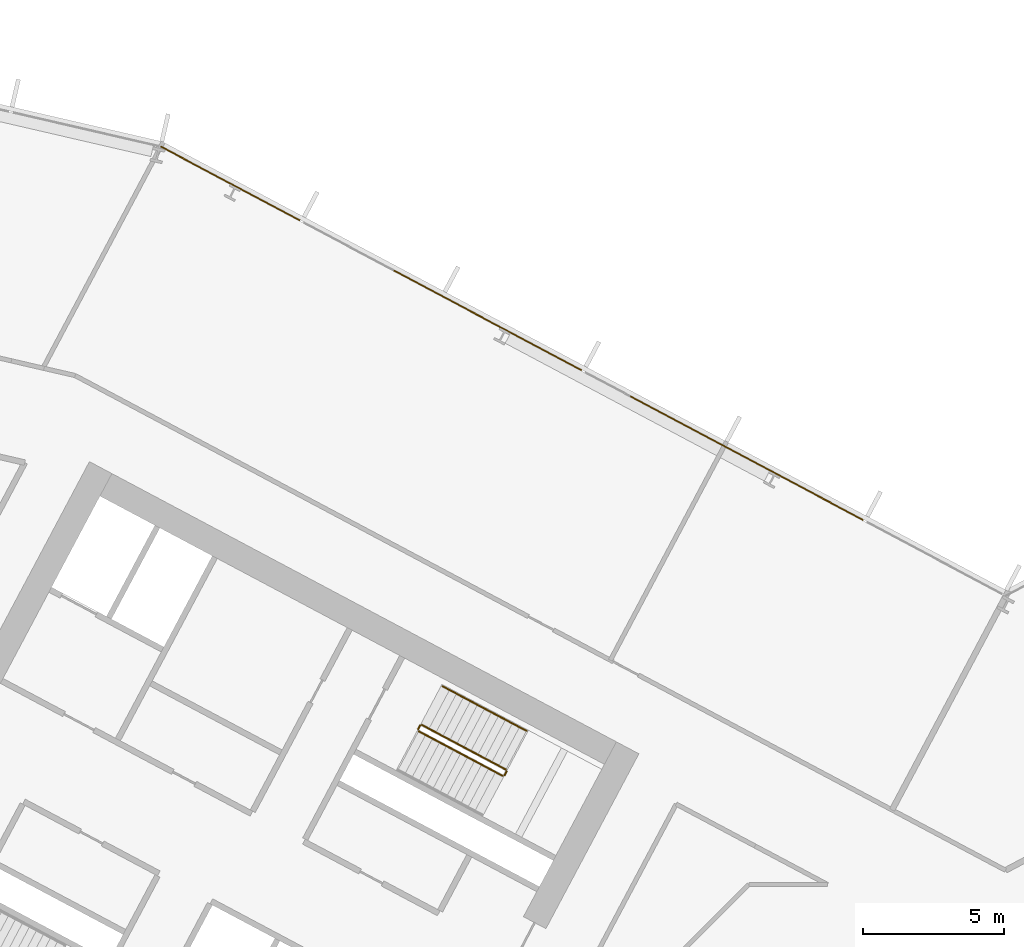
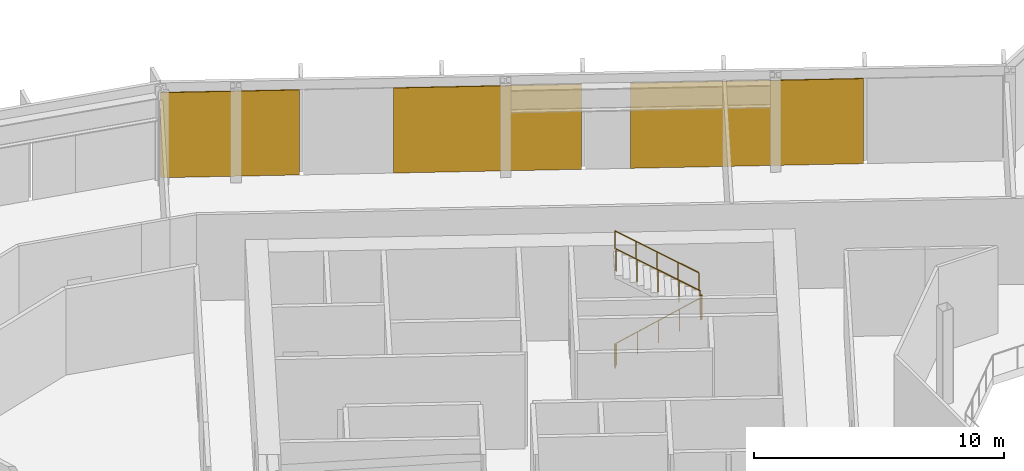
# One storey, part 24 of 30: 5 railings, 3 coverings, 1 element without a shape of its own.
"""IFC4 building model written with IfcOpenShell, lengths in metres."""

from ifc_helpers import new_model, si_unit, direction, frame, origin, origin_2d, place, context, subcontext, project, spatial, polyline, rectangle, outline, extrude, material, layer, layer_set, type_object, element, aggregate, save


model = new_model("IFC4")

# Units and contexts
model_context = context("Model", 3, precision=1e-05, world=origin(), true_north=direction((0.0, 1.0)))
body_context = subcontext(model_context, "Body", "Model", "MODEL_VIEW")
ifc_project = project(units=[si_unit("LENGTHUNIT", "METRE"), si_unit("AREAUNIT", "SQUARE_METRE"), si_unit("VOLUMEUNIT", "CUBIC_METRE"), si_unit("PLANEANGLEUNIT", "RADIAN"), si_unit("MASSUNIT", "GRAM", prefix="KILO")], contexts=[model_context])

# Site, building, storey
site_placement = place(None, origin())
site = spatial("IfcSite", under=ifc_project, at=site_placement, CompositionType="ELEMENT")
building_placement = place(site_placement, origin())
building = spatial("IfcBuilding", under=site, at=building_placement, Name="Cormorant Relay Tower", CompositionType="ELEMENT")
storey_placement = place(building_placement, frame((0.0, 0.0, 84.60009765625)))
storey = spatial("IfcBuildingStorey", under=building, at=storey_placement, Name="L16", CompositionType="ELEMENT", Elevation=84.60009765625)

# Curtain wall, coverings
ifc_material_1 = material(Name="Aluminium 6063-T6 anodised bronze", Category="aluminium")
ifc_layer_1 = layer(ifc_material_1, 0.199951171875)
ifc_layer_set_1 = layer_set([ifc_layer_1], Name="CW1 unitised bronze curtain wall with vertical fins")
curtain_wall_type = type_object("IfcCurtainWallType", Name="CW1 unitised bronze curtain wall with vertical fins", PredefinedType="NOTDEFINED", material=ifc_layer_set_1)
curtain_wall_placement = place(storey_placement, origin())
curtain_wall = element("IfcCurtainWall", 1, at=curtain_wall_placement, inside=storey, type_object=curtain_wall_type, Name="CW1 curtain wall 7", PredefinedType="NOTDEFINED")
ifc_material_2 = material(Name="Pale bronze anodised aluminium insulated panel", Category="aluminium")
ifc_layer_2 = layer(ifc_material_2, 0.0400390625)
ifc_layer_set_2 = layer_set([ifc_layer_2], Name="CW1 pale bronze insulated panel 40")
covering_type = type_object("IfcCoveringType", Name="CW1 pale bronze insulated panel 40", PredefinedType="CLADDING", material=ifc_layer_set_2)
covering_1_placement = place(storey_placement, frame((-9.15380859375, 28.673828125, 0.0), z_axis=(0.0, 0.0, 1.0), x_axis=(-0.882947592859, 0.469471562786, 0.0)))
covering_1 = element("IfcCovering", 2, at=covering_1_placement, type_object=covering_type, Name="CW1 panel S01", PredefinedType="CLADDING", context=body_context, shape_type="SweptSolid", body=[
    extrude(rectangle(XDim=9.327880859375, YDim=0.0400390625, at=origin_2d()), origin(), (0.0, 0.0, 1.0), 4.14990234375),
])
covering_2_placement = place(storey_placement, frame((-18.317138671875, 33.5458984375, 0.0), z_axis=(0.0, 0.0, 1.0), x_axis=(-0.882947592859, 0.469471562786, 0.0)))
covering_2 = element("IfcCovering", 3, at=covering_2_placement, type_object=covering_type, Name="CW1 panel S03", PredefinedType="CLADDING", context=body_context, shape_type="SweptSolid", body=[
    extrude(rectangle(XDim=7.528076171875, YDim=0.0400390625, at=origin_2d()), origin(), (0.0, 0.0, 1.0), 4.14990234375),
])
covering_3_placement = place(storey_placement, frame((-27.407958984375, 38.379638671875, 0.0), z_axis=(0.0, 0.0, 1.0), x_axis=(-0.882947592859, 0.469471562786, 0.0)))
covering_3 = element("IfcCovering", 4, at=covering_3_placement, type_object=covering_type, Name="CW1 panel S05", PredefinedType="CLADDING", context=body_context, shape_type="SweptSolid", body=[
    extrude(rectangle(XDim=5.56396484375, YDim=0.0400390625, at=origin_2d()), origin(), (0.0, 0.0, 1.0), 4.14990234375),
])
aggregate(curtain_wall, [covering_1, covering_2, covering_3])

# Railings
ifc_material_3 = material(Name="Steel ASTM A572 Grade 50 (Fy 345 MPa)", Category="steel")
railing_type_1 = type_object("IfcRailingType", Name="Stair guard 1100", PredefinedType="GUARDRAIL", material=ifc_material_3)
railing_1_placement = place(storey_placement, frame((-20.75048828125, 19.017822265625, 0.1767578125)))
element("IfcRailing", 5, at=railing_1_placement, inside=storey, type_object=railing_type_1, Name="L16 A1 stair guard 1", PredefinedType="GUARDRAIL", context=body_context, shape_type="SweptSolid", body=[
    extrude(outline(polyline([(0.022216796875, 0.00927734375), (0.00927734375, 0.022216796875), (-0.00927734375, 0.022216796875), (-0.022216796875, 0.00927734375), (-0.022216796875, -0.00927734375), (-0.00927734375, -0.022216796875), (0.00927734375, -0.022216796875), (0.022216796875, -0.00927734375), (0.022216796875, 0.00927734375)])), frame((0.0, 0.0, 1.076171875), z_axis=(0.746413465702, -0.396887285154, 0.534179203172), x_axis=(0.469482818608, 0.88294160794, 0.0)), (0.0, 0.0, 1.0), 3.974365234375),
    extrude(outline(polyline([(0.019287109375, 0.008056640625), (0.008056640625, 0.019287109375), (-0.008056640625, 0.019287109375), (-0.019287109375, 0.008056640625), (-0.019287109375, -0.008056640625), (-0.008056640625, -0.019287109375), (0.008056640625, -0.019287109375), (0.019287109375, -0.008056640625), (0.019287109375, 0.008056640625)])), origin(), (0.0, 0.0, 1.0), 1.052001953125),
    extrude(outline(polyline([(0.019287109375, 0.008056640625), (0.008056640625, 0.019287109375), (-0.008056640625, 0.019287109375), (-0.019287109375, 0.008056640625), (-0.019287109375, -0.008056640625), (-0.008056640625, -0.019287109375), (0.008056640625, -0.019287109375), (0.019287109375, -0.008056640625), (0.019287109375, 0.008056640625)])), frame((0.74169921875, -0.394287109375, 0.53076171875)), (0.0, 0.0, 1.0), 1.052001953125),
    extrude(outline(polyline([(0.019287109375, 0.008056640625), (0.008056640625, 0.019287109375), (-0.008056640625, 0.019287109375), (-0.019287109375, 0.008056640625), (-0.019287109375, -0.008056640625), (-0.008056640625, -0.019287109375), (0.008056640625, -0.019287109375), (0.019287109375, -0.008056640625), (0.019287109375, 0.008056640625)])), frame((1.4833984375, -0.78857421875, 1.0615234375)), (0.0, 0.0, 1.0), 1.052001953125),
    extrude(outline(polyline([(0.019287109375, 0.008056640625), (0.008056640625, 0.019287109375), (-0.008056640625, 0.019287109375), (-0.019287109375, 0.008056640625), (-0.019287109375, -0.008056640625), (-0.008056640625, -0.019287109375), (0.008056640625, -0.019287109375), (0.019287109375, -0.008056640625), (0.019287109375, 0.008056640625)])), frame((2.224853515625, -1.18310546875, 1.59228515625)), (0.0, 0.0, 1.0), 1.052001953125),
    extrude(outline(polyline([(0.019287109375, 0.008056640625), (0.008056640625, 0.019287109375), (-0.008056640625, 0.019287109375), (-0.019287109375, 0.008056640625), (-0.019287109375, -0.008056640625), (-0.008056640625, -0.019287109375), (0.008056640625, -0.019287109375), (0.019287109375, -0.008056640625), (0.019287109375, 0.008056640625)])), frame((2.966552734375, -1.577392578125, 2.123046875)), (0.0, 0.0, 1.0), 1.052001953125),
])
railing_2_placement = place(storey_placement, frame((-17.71630859375, 17.461181640625, 2.2998046875)))
element("IfcRailing", 6, at=railing_2_placement, inside=storey, type_object=railing_type_1, Name="L16 A1 stair guard 2", PredefinedType="GUARDRAIL", context=body_context, shape_type="SweptSolid", body=[
    extrude(outline(polyline([(0.022216796875, 0.00927734375), (0.00927734375, 0.022216796875), (-0.00927734375, 0.022216796875), (-0.022216796875, 0.00927734375), (-0.022216796875, -0.00927734375), (-0.00927734375, -0.022216796875), (0.00927734375, -0.022216796875), (0.022216796875, -0.00927734375), (0.022216796875, 0.00927734375)])), frame((0.0, 0.0, 1.076171875), z_axis=(0.470503732759, 0.882398003998, 0.0), x_axis=(-0.882398003998, 0.470503732759, 0.0)), (0.0, 0.0, 1.0), 0.14990234375),
    extrude(outline(polyline([(0.019287109375, 0.008056640625), (0.008056640625, 0.019287109375), (-0.008056640625, 0.019287109375), (-0.019287109375, 0.008056640625), (-0.019287109375, -0.008056640625), (-0.008056640625, -0.019287109375), (0.008056640625, -0.019287109375), (0.019287109375, -0.008056640625), (0.019287109375, 0.008056640625)])), origin(), (0.0, 0.0, 1.0), 1.052001953125),
    extrude(outline(polyline([(0.019287109375, 0.008056640625), (0.008056640625, 0.019287109375), (-0.008056640625, 0.019287109375), (-0.019287109375, 0.008056640625), (-0.019287109375, -0.008056640625), (-0.008056640625, -0.019287109375), (0.008056640625, -0.019287109375), (0.019287109375, -0.008056640625), (0.019287109375, 0.008056640625)])), frame((0.070556640625, 0.13232421875, 0.0)), (0.0, 0.0, 1.0), 1.052001953125),
])
railing_3_placement = place(storey_placement, frame((-17.66650390625, 17.6611328125, 2.476806640625)))
element("IfcRailing", 7, at=railing_3_placement, inside=storey, type_object=railing_type_1, Name="L16 A1 stair guard 3", PredefinedType="GUARDRAIL", context=body_context, shape_type="SweptSolid", body=[
    extrude(outline(polyline([(0.022216796875, 0.00927734375), (0.00927734375, 0.022216796875), (-0.00927734375, 0.022216796875), (-0.022216796875, 0.00927734375), (-0.022216796875, -0.00927734375), (-0.00927734375, -0.022216796875), (0.00927734375, -0.022216796875), (0.022216796875, -0.00927734375), (0.022216796875, 0.00927734375)])), frame((0.0, 0.0, 1.076171875), z_axis=(-0.746440668329, 0.396869088057, 0.534154711306), x_axis=(-0.46945269911, -0.882957622595, 0.0)), (0.0, 0.0, 1.0), 3.974609375),
    extrude(outline(polyline([(0.019287109375, 0.008056640625), (0.008056640625, 0.019287109375), (-0.008056640625, 0.019287109375), (-0.019287109375, 0.008056640625), (-0.019287109375, -0.008056640625), (-0.008056640625, -0.019287109375), (0.008056640625, -0.019287109375), (0.019287109375, -0.008056640625), (0.019287109375, 0.008056640625)])), origin(), (0.0, 0.0, 1.0), 1.052001953125),
    extrude(outline(polyline([(0.019287109375, 0.008056640625), (0.008056640625, 0.019287109375), (-0.008056640625, 0.019287109375), (-0.019287109375, 0.008056640625), (-0.019287109375, -0.008056640625), (-0.008056640625, -0.019287109375), (0.008056640625, -0.019287109375), (0.019287109375, -0.008056640625), (0.019287109375, 0.008056640625)])), frame((-0.74169921875, 0.394287109375, 0.53076171875)), (0.0, 0.0, 1.0), 1.052001953125),
    extrude(outline(polyline([(0.019287109375, 0.008056640625), (0.008056640625, 0.019287109375), (-0.008056640625, 0.019287109375), (-0.019287109375, 0.008056640625), (-0.019287109375, -0.008056640625), (-0.008056640625, -0.019287109375), (0.008056640625, -0.019287109375), (0.019287109375, -0.008056640625), (0.019287109375, 0.008056640625)])), frame((-1.4833984375, 0.78857421875, 1.0615234375)), (0.0, 0.0, 1.0), 1.052001953125),
    extrude(outline(polyline([(0.019287109375, 0.008056640625), (0.008056640625, 0.019287109375), (-0.008056640625, 0.019287109375), (-0.019287109375, 0.008056640625), (-0.019287109375, -0.008056640625), (-0.008056640625, -0.019287109375), (0.008056640625, -0.019287109375), (0.019287109375, -0.008056640625), (0.019287109375, 0.008056640625)])), frame((-2.22509765625, 1.18310546875, 1.59228515625)), (0.0, 0.0, 1.0), 1.052001953125),
    extrude(outline(polyline([(0.019287109375, 0.008056640625), (0.008056640625, 0.019287109375), (-0.008056640625, 0.019287109375), (-0.019287109375, 0.008056640625), (-0.019287109375, -0.008056640625), (-0.008056640625, -0.019287109375), (0.008056640625, -0.019287109375), (0.019287109375, -0.008056640625), (0.019287109375, 0.008056640625)])), frame((-2.966796875, 1.577392578125, 2.123046875)), (0.0, 0.0, 1.0), 1.052001953125),
])
railing_4_placement = place(storey_placement, frame((-20.771240234375, 19.08544921875, 0.0)))
element("IfcRailing", 8, at=railing_4_placement, inside=storey, type_object=railing_type_1, Name="L16 A1 stair guard 4", PredefinedType="GUARDRAIL", context=body_context, shape_type="SweptSolid", body=[
    extrude(outline(polyline([(0.022216796875, 0.00927734375), (0.00927734375, 0.022216796875), (-0.00927734375, 0.022216796875), (-0.022216796875, 0.00927734375), (-0.022216796875, -0.00927734375), (-0.00927734375, -0.022216796875), (0.00927734375, -0.022216796875), (0.022216796875, -0.00927734375), (0.022216796875, 0.00927734375)])), frame((0.0, 0.0, 1.076171875), z_axis=(0.469828648786, 0.882757634224, 0.0), x_axis=(-0.882757634224, 0.469828648786, 0.0)), (0.0, 0.0, 1.0), 0.150146484375),
    extrude(outline(polyline([(0.019287109375, 0.008056640625), (0.008056640625, 0.019287109375), (-0.008056640625, 0.019287109375), (-0.019287109375, 0.008056640625), (-0.019287109375, -0.008056640625), (-0.008056640625, -0.019287109375), (0.008056640625, -0.019287109375), (0.019287109375, -0.008056640625), (0.019287109375, 0.008056640625)])), origin(), (0.0, 0.0, 1.0), 1.052001953125),
    extrude(outline(polyline([(0.019287109375, 0.008056640625), (0.008056640625, 0.019287109375), (-0.008056640625, 0.019287109375), (-0.019287109375, 0.008056640625), (-0.019287109375, -0.008056640625), (-0.008056640625, -0.019287109375), (0.008056640625, -0.019287109375), (0.019287109375, -0.008056640625), (0.019287109375, 0.008056640625)])), frame((0.070556640625, 0.132568359375, 0.0)), (0.0, 0.0, 1.0), 1.052001953125),
])
ifc_material_4 = material(Name="Steel ASTM A572 Grade 50 (Fy 345 MPa)", Category="steel")
railing_type_2 = type_object("IfcRailingType", Name="Stair handrail 900", PredefinedType="HANDRAIL", material=ifc_material_4)
railing_5_placement = place(storey_placement, frame((-16.938720703125, 19.02978515625, 2.476806640625)))
element("IfcRailing", 9, at=railing_5_placement, inside=storey, type_object=railing_type_2, Name="L16 A1 stair handrail 2", PredefinedType="HANDRAIL", context=body_context, shape_type="SweptSolid", body=[
    extrude(outline(polyline([(0.022216796875, 0.00927734375), (0.00927734375, 0.022216796875), (-0.00927734375, 0.022216796875), (-0.022216796875, 0.00927734375), (-0.022216796875, -0.00927734375), (-0.00927734375, -0.022216796875), (0.00927734375, -0.022216796875), (0.022216796875, -0.00927734375), (0.022216796875, 0.00927734375)])), frame((0.0, 0.0, 0.8759765625), z_axis=(-0.746440668329, 0.396869088057, 0.534154711306), x_axis=(-0.46945269911, -0.882957622595, 0.0)), (0.0, 0.0, 1.0), 3.974609375),
    extrude(outline(polyline([(0.019287109375, 0.008056640625), (0.008056640625, 0.019287109375), (-0.008056640625, 0.019287109375), (-0.019287109375, 0.008056640625), (-0.019287109375, -0.008056640625), (-0.008056640625, -0.019287109375), (0.008056640625, -0.019287109375), (0.019287109375, -0.008056640625), (0.019287109375, 0.008056640625)])), origin(), (0.0, 0.0, 1.0), 0.851806640625),
    extrude(outline(polyline([(0.019287109375, 0.008056640625), (0.008056640625, 0.019287109375), (-0.008056640625, 0.019287109375), (-0.019287109375, 0.008056640625), (-0.019287109375, -0.008056640625), (-0.008056640625, -0.019287109375), (0.008056640625, -0.019287109375), (0.019287109375, -0.008056640625), (0.019287109375, 0.008056640625)])), frame((-0.74169921875, 0.394287109375, 0.53076171875)), (0.0, 0.0, 1.0), 0.851806640625),
    extrude(outline(polyline([(0.019287109375, 0.008056640625), (0.008056640625, 0.019287109375), (-0.008056640625, 0.019287109375), (-0.019287109375, 0.008056640625), (-0.019287109375, -0.008056640625), (-0.008056640625, -0.019287109375), (0.008056640625, -0.019287109375), (0.019287109375, -0.008056640625), (0.019287109375, 0.008056640625)])), frame((-1.4833984375, 0.78857421875, 1.0615234375)), (0.0, 0.0, 1.0), 0.851806640625),
    extrude(outline(polyline([(0.019287109375, 0.008056640625), (0.008056640625, 0.019287109375), (-0.008056640625, 0.019287109375), (-0.019287109375, 0.008056640625), (-0.019287109375, -0.008056640625), (-0.008056640625, -0.019287109375), (0.008056640625, -0.019287109375), (0.019287109375, -0.008056640625), (0.019287109375, 0.008056640625)])), frame((-2.22509765625, 1.18310546875, 1.59228515625)), (0.0, 0.0, 1.0), 0.851806640625),
    extrude(outline(polyline([(0.019287109375, 0.008056640625), (0.008056640625, 0.019287109375), (-0.008056640625, 0.019287109375), (-0.019287109375, 0.008056640625), (-0.019287109375, -0.008056640625), (-0.008056640625, -0.019287109375), (0.008056640625, -0.019287109375), (0.019287109375, -0.008056640625), (0.019287109375, 0.008056640625)])), frame((-2.966796875, 1.577392578125, 2.123046875)), (0.0, 0.0, 1.0), 0.851806640625),
])

save(model, "model.ifc")
